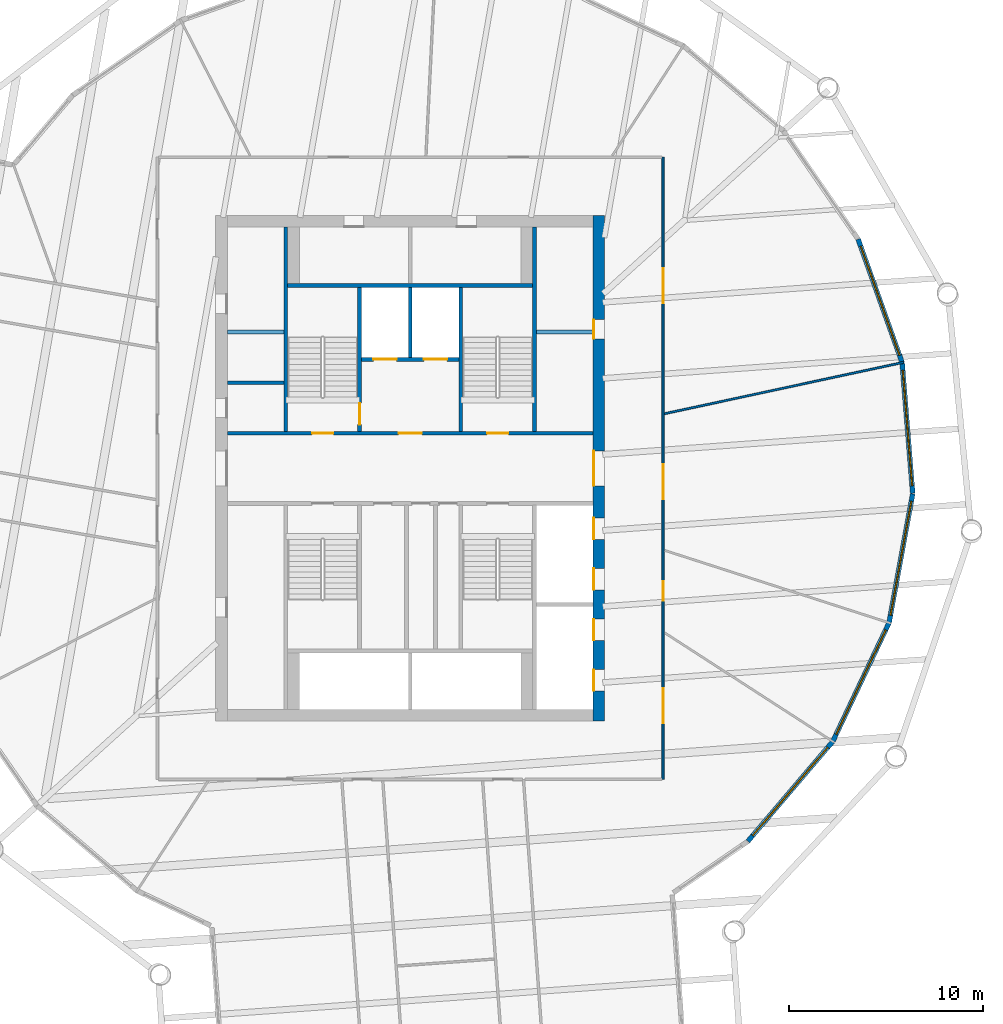
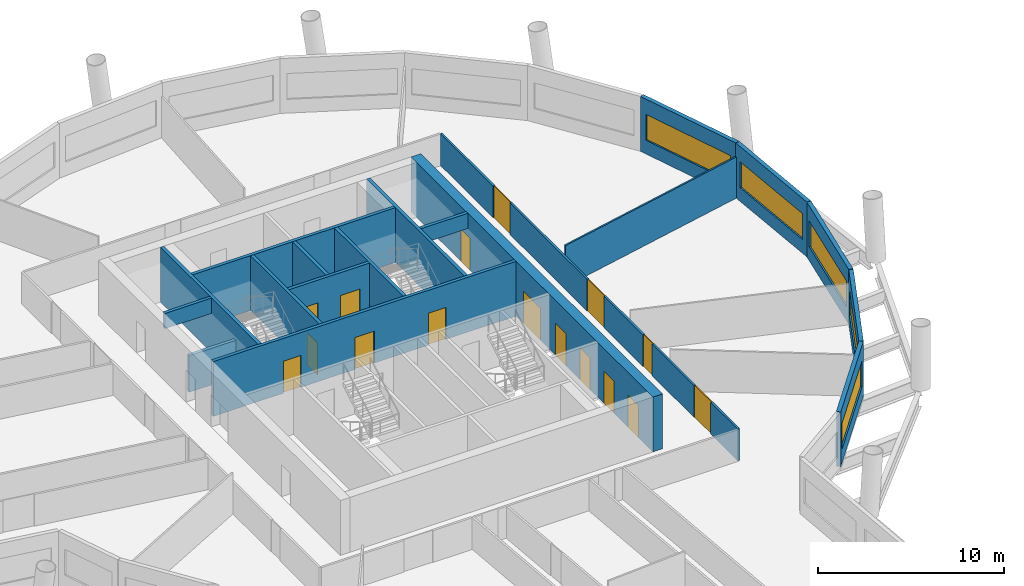
# One storey, part 5 of 11: 19 walls, 16 doors, 5 windows, 21 openings.
"""IFC4 building model written with IfcOpenShell, lengths in metres."""

from ifc_helpers import new_model, si_unit, direction, frame, frame_2d, origin, place, context, subcontext, project, spatial, rectangle, extrude, material, layer, layer_set, type_object, element, fill, save


model = new_model("IFC4")

# Units and contexts
model_context = context("Model", 3, precision=1e-05, world=origin(), true_north=direction((0.0, 1.0)))
body_context = subcontext(model_context, "Body", "Model", "MODEL_VIEW")
ifc_project = project(units=[si_unit("LENGTHUNIT", "METRE"), si_unit("AREAUNIT", "SQUARE_METRE"), si_unit("VOLUMEUNIT", "CUBIC_METRE"), si_unit("PLANEANGLEUNIT", "RADIAN"), si_unit("MASSUNIT", "GRAM", prefix="KILO")], contexts=[model_context])

# Site, building, storey
site_placement = place(None, origin())
site = spatial("IfcSite", under=ifc_project, at=site_placement, CompositionType="ELEMENT")
building_placement = place(site_placement, origin())
building = spatial("IfcBuilding", under=site, at=building_placement, Name="Tarsis Ring Headquarters", CompositionType="ELEMENT")
storey_placement = place(building_placement, frame((0.0, 0.0, 243.300048828125)))
storey = spatial("IfcBuildingStorey", under=building, at=storey_placement, Name="L57", CompositionType="ELEMENT", Elevation=243.300048828125)

# Wall
ifc_material_1 = material(Name="Blockwork", Category="masonry")
ifc_layer_1 = layer(ifc_material_1, 0.199951171875)
ifc_layer_set_1 = layer_set([ifc_layer_1], Name="Core blockwork wall 200")
wall_type_1 = type_object("IfcWallType", Name="Core blockwork wall 200", PredefinedType="PARTITIONING", material=ifc_layer_set_1)
wall_1_placement = place(storey_placement, frame((-9.39990234375, 4.39990234375, 0.0), z_axis=(0.0, 0.0, 1.0), x_axis=(1.0, 0.0, 0.0)))
element("IfcWall", 1, at=wall_1_placement, inside=storey, type_object=wall_type_1, Name="Core partition WD5", PredefinedType="PARTITIONING", context=body_context, shape_type="SweptSolid", body=[
    extrude(rectangle(XDim=2.89990234375, YDim=0.199951171875, at=frame_2d((1.449951171875, 0.0))), origin(), (0.0, 0.0, 1.0), 2.39990234375),
])

# Wall, openings, doors
ifc_material_2 = material(Name="Concrete C50/60", Category="concrete")
ifc_layer_2 = layer(ifc_material_2, 0.60009765625)
ifc_layer_set_2 = layer_set([ifc_layer_2], Name="Core wall 600 C50/60")
wall_type_2 = type_object("IfcWallType", Name="Core wall 600 C50/60", PredefinedType="SHEAR", material=ifc_layer_set_2)
wall_2_placement = place(storey_placement, frame((9.699951171875, -13.0, 0.0), z_axis=(0.0, 0.0, 1.0), x_axis=(0.0, 1.0, 0.0)))
wall_2 = element("IfcWall", 2, at=wall_2_placement, inside=storey, type_object=wall_type_2, Name="Core wall OE", PredefinedType="SHEAR", context=body_context, shape_type="SweptSolid", body=[
    extrude(rectangle(XDim=26.0, YDim=0.60009765625, at=frame_2d((13.0, 0.0))), origin(), (0.0, 0.0, 1.0), 3.599853515625),
])
opening_1_placement = place(wall_2_placement, frame((1.550048828125, 0.0, 0.0)))
opening_1 = element("IfcOpeningElement", 3, at=opening_1_placement, cuts=wall_2, Name="Opening LD-MR1", PredefinedType="OPENING", context=body_context, shape_type="SweptSolid", body=[
    extrude(rectangle(XDim=1.10009765625, YDim=2.10009765625, at=frame_2d((0.550048828125, 1.050048828125))), frame((0.0, 0.31005859375, 0.0), z_axis=(0.0, -1.0, 0.0), x_axis=(1.0, 0.0, 0.0)), (0.0, 0.0, 1.0), 0.6201171875),
])
opening_2_placement = place(wall_2_placement, frame((4.14990234375, 0.0, 0.0)))
opening_2 = element("IfcOpeningElement", 4, at=opening_2_placement, cuts=wall_2, Name="Opening LD-MR2", PredefinedType="OPENING", context=body_context, shape_type="SweptSolid", body=[
    extrude(rectangle(XDim=1.10009765625, YDim=2.10009765625, at=frame_2d((0.550048828125, 1.050048828125))), frame((0.0, 0.31005859375, 0.0), z_axis=(0.0, -1.0, 0.0), x_axis=(1.0, 0.0, 0.0)), (0.0, 0.0, 1.0), 0.6201171875),
])
opening_3_placement = place(wall_2_placement, frame((6.75, 0.0, 0.0)))
opening_3 = element("IfcOpeningElement", 5, at=opening_3_placement, cuts=wall_2, Name="Opening LD-MR3", PredefinedType="OPENING", context=body_context, shape_type="SweptSolid", body=[
    extrude(rectangle(XDim=1.10009765625, YDim=2.10009765625, at=frame_2d((0.550048828125, 1.050048828125))), frame((0.0, 0.31005859375, 0.0), z_axis=(0.0, -1.0, 0.0), x_axis=(1.0, 0.0, 0.0)), (0.0, 0.0, 1.0), 0.6201171875),
])
opening_4_placement = place(wall_2_placement, frame((9.35009765625, 0.0, 0.0)))
opening_4 = element("IfcOpeningElement", 6, at=opening_4_placement, cuts=wall_2, Name="Opening LD-MR4", PredefinedType="OPENING", context=body_context, shape_type="SweptSolid", body=[
    extrude(rectangle(XDim=1.10009765625, YDim=2.10009765625, at=frame_2d((0.550048828125, 1.050048828125))), frame((0.0, 0.31005859375, 0.0), z_axis=(0.0, -1.0, 0.0), x_axis=(1.0, 0.0, 0.0)), (0.0, 0.0, 1.0), 0.6201171875),
])
opening_5_placement = place(wall_2_placement, frame((12.10009765625, 0.0, 0.0)))
opening_5 = element("IfcOpeningElement", 7, at=opening_5_placement, cuts=wall_2, Name="Opening L57-C09", PredefinedType="OPENING", context=body_context, shape_type="SweptSolid", body=[
    extrude(rectangle(XDim=1.800048828125, YDim=2.10009765625, at=frame_2d((0.89990234375, 1.050048828125))), frame((0.0, 0.31005859375, 0.0), z_axis=(0.0, -1.0, 0.0), x_axis=(1.0, 0.0, 0.0)), (0.0, 0.0, 1.0), 0.6201171875),
])
opening_6_placement = place(wall_2_placement, frame((19.64990234375, 0.0, 0.0)))
opening_6 = element("IfcOpeningElement", 8, at=opening_6_placement, cuts=wall_2, Name="Opening L57-C10", PredefinedType="OPENING", context=body_context, shape_type="SweptSolid", body=[
    extrude(rectangle(XDim=1.0, YDim=2.10009765625, at=frame_2d((0.5, 1.050048828125))), frame((0.0, 0.31005859375, 0.0), z_axis=(0.0, -1.0, 0.0), x_axis=(1.0, 0.0, 0.0)), (0.0, 0.0, 1.0), 0.6201171875),
])
ifc_material_3 = material(Name="Steel S355", Category="steel")
door_type_1 = type_object("IfcDoorType", Name="Core entry door 1800x2100", OperationType="DOUBLE_DOOR_SINGLE_SWING", PredefinedType="DOOR", material=ifc_material_3)
door_1_placement = place(opening_5_placement, origin())
door_1 = element("IfcDoor", 9, at=door_1_placement, inside=storey, type_object=door_type_1, Name="Core entry door L57", OperationType="DOUBLE_DOOR_SINGLE_SWING", OverallHeight=2.10009765625, OverallWidth=1.800048828125, PredefinedType="DOOR", context=body_context, shape_type="SweptSolid", body=[
    extrude(rectangle(XDim=1.800048828125, YDim=2.10009765625, at=frame_2d((0.89990234375, 1.050048828125))), frame((0.0, 0.2998046875, 0.0), z_axis=(0.0, -1.0, 0.0), x_axis=(1.0, 0.0, 0.0)), (0.0, 0.0, 1.0), 0.050048828125),
])
fill(opening_5, door_1)
door_type_2 = type_object("IfcDoorType", Name="Core room door 1000x2100", OperationType="SINGLE_SWING_LEFT", PredefinedType="DOOR", material=ifc_material_3)
door_2_placement = place(opening_6_placement, origin())
door_2 = element("IfcDoor", 10, at=door_2_placement, inside=storey, type_object=door_type_2, Name="Core room door L57", OperationType="SINGLE_SWING_LEFT", OverallHeight=2.10009765625, OverallWidth=1.0, PredefinedType="DOOR", context=body_context, shape_type="SweptSolid", body=[
    extrude(rectangle(XDim=1.0, YDim=2.10009765625, at=frame_2d((0.5, 1.050048828125))), frame((0.0, 0.2998046875, 0.0), z_axis=(0.0, -1.0, 0.0), x_axis=(1.0, 0.0, 0.0)), (0.0, 0.0, 1.0), 0.050048828125),
])
fill(opening_6, door_2)
door_type_3 = type_object("IfcDoorType", Name="Landing door 1100x2100", OperationType="SLIDING_TO_LEFT", PredefinedType="DOOR", material=ifc_material_3)
door_3_placement = place(opening_1_placement, origin())
door_3 = element("IfcDoor", 11, at=door_3_placement, inside=storey, type_object=door_type_3, Name="Landing door MR1 L57", OperationType="SLIDING_TO_LEFT", OverallHeight=2.10009765625, OverallWidth=1.10009765625, PredefinedType="DOOR", context=body_context, shape_type="SweptSolid", body=[
    extrude(rectangle(XDim=1.10009765625, YDim=2.10009765625, at=frame_2d((0.550048828125, 1.050048828125))), frame((0.0, 0.2998046875, 0.0), z_axis=(0.0, -1.0, 0.0), x_axis=(1.0, 0.0, 0.0)), (0.0, 0.0, 1.0), 0.050048828125),
])
fill(opening_1, door_3)
door_4_placement = place(opening_2_placement, origin())
door_4 = element("IfcDoor", 12, at=door_4_placement, inside=storey, type_object=door_type_3, Name="Landing door MR2 L57", OperationType="SLIDING_TO_LEFT", OverallHeight=2.10009765625, OverallWidth=1.10009765625, PredefinedType="DOOR", context=body_context, shape_type="SweptSolid", body=[
    extrude(rectangle(XDim=1.10009765625, YDim=2.10009765625, at=frame_2d((0.550048828125, 1.050048828125))), frame((0.0, 0.2998046875, 0.0), z_axis=(0.0, -1.0, 0.0), x_axis=(1.0, 0.0, 0.0)), (0.0, 0.0, 1.0), 0.050048828125),
])
fill(opening_2, door_4)
door_5_placement = place(opening_3_placement, origin())
door_5 = element("IfcDoor", 13, at=door_5_placement, inside=storey, type_object=door_type_3, Name="Landing door MR3 L57", OperationType="SLIDING_TO_LEFT", OverallHeight=2.10009765625, OverallWidth=1.10009765625, PredefinedType="DOOR", context=body_context, shape_type="SweptSolid", body=[
    extrude(rectangle(XDim=1.10009765625, YDim=2.10009765625, at=frame_2d((0.550048828125, 1.050048828125))), frame((0.0, 0.2998046875, 0.0), z_axis=(0.0, -1.0, 0.0), x_axis=(1.0, 0.0, 0.0)), (0.0, 0.0, 1.0), 0.050048828125),
])
fill(opening_3, door_5)
door_6_placement = place(opening_4_placement, origin())
door_6 = element("IfcDoor", 14, at=door_6_placement, inside=storey, type_object=door_type_3, Name="Landing door MR4 L57", OperationType="SLIDING_TO_LEFT", OverallHeight=2.10009765625, OverallWidth=1.10009765625, PredefinedType="DOOR", context=body_context, shape_type="SweptSolid", body=[
    extrude(rectangle(XDim=1.10009765625, YDim=2.10009765625, at=frame_2d((0.550048828125, 1.050048828125))), frame((0.0, 0.2998046875, 0.0), z_axis=(0.0, -1.0, 0.0), x_axis=(1.0, 0.0, 0.0)), (0.0, 0.0, 1.0), 0.050048828125),
])
fill(opening_4, door_6)

# Wall
ifc_material_4 = material(Name="Gypsum board on steel studs", Category="steel")
ifc_layer_3 = layer(ifc_material_4, 0.10009765625)
ifc_layer_set_3 = layer_set([ifc_layer_3], Name="FL partition 100 unrated")
wall_type_3 = type_object("IfcWallType", Name="FL partition 100 unrated", PredefinedType="PARTITIONING", material=ifc_layer_set_3)
wall_3_placement = place(storey_placement, frame((13.068359375, 2.806396484375, 0.0), z_axis=(0.0, 0.0, 1.0), x_axis=(0.97771002818, 0.209959759947, 0.0)))
element("IfcWall", 15, at=wall_3_placement, inside=storey, type_object=wall_type_3, Name="Partition PW3", PredefinedType="PARTITIONING", context=body_context, shape_type="SweptSolid", body=[
    extrude(rectangle(XDim=12.58154296875, YDim=0.10009765625, at=frame_2d((6.290771484375, 0.0))), origin(), (0.0, 0.0, 1.0), 2.699951171875),
])

# Wall, openings, doors
ifc_layer_4 = layer(ifc_material_4, 0.125)
ifc_layer_set_4 = layer_set([ifc_layer_4], Name="FL partition 125 EI 60 H2080")
wall_type_4 = type_object("IfcWallType", Name="FL partition 125 EI 60 H2080", PredefinedType="PARTITIONING", material=ifc_layer_set_4)
wall_4_placement = place(storey_placement, frame((13.0, -15.998046875, 0.0), z_axis=(0.0, 0.0, 1.0), x_axis=(0.0, 1.0, 0.0)))
wall_4 = element("IfcWall", 16, at=wall_4_placement, inside=storey, type_object=wall_type_4, Name="Partition PW1H208", PredefinedType="PARTITIONING", context=body_context, shape_type="SweptSolid", body=[
    extrude(rectangle(XDim=31.998046875, YDim=0.125, at=frame_2d((15.9990234375, 0.0))), origin(), (0.0, 0.0, 1.0), 2.079833984375),
])
opening_7_placement = place(wall_4_placement, frame((24.493896484375, 0.0, 0.0)))
opening_7 = element("IfcOpeningElement", 17, at=opening_7_placement, cuts=wall_4, Name="Opening D57.06", PredefinedType="OPENING", context=body_context, shape_type="SweptSolid", body=[
    extrude(rectangle(XDim=1.800048828125, YDim=2.10009765625, at=frame_2d((0.89990234375, 1.050048828125))), frame((0.0, 0.072509765625, 0.0), z_axis=(0.0, -1.0, 0.0), x_axis=(1.0, 0.0, 0.0)), (0.0, 0.0, 1.0), 0.14501953125),
])
opening_8_placement = place(wall_4_placement, frame((14.39697265625, 0.0, 0.0)))
opening_8 = element("IfcOpeningElement", 18, at=opening_8_placement, cuts=wall_4, Name="Opening D57.07", PredefinedType="OPENING", context=body_context, shape_type="SweptSolid", body=[
    extrude(rectangle(XDim=1.800048828125, YDim=2.10009765625, at=frame_2d((0.89990234375, 1.050048828125))), frame((0.0, 0.072509765625, 0.0), z_axis=(0.0, -1.0, 0.0), x_axis=(1.0, 0.0, 0.0)), (0.0, 0.0, 1.0), 0.14501953125),
])
opening_9_placement = place(wall_4_placement, frame((9.19921875, 0.0, 0.0)))
opening_9 = element("IfcOpeningElement", 19, at=opening_9_placement, cuts=wall_4, Name="Opening D57.08", PredefinedType="OPENING", context=body_context, shape_type="SweptSolid", body=[
    extrude(rectangle(XDim=1.0, YDim=2.10009765625, at=frame_2d((0.5, 1.050048828125))), frame((0.0, 0.072509765625, 0.0), z_axis=(0.0, -1.0, 0.0), x_axis=(1.0, 0.0, 0.0)), (0.0, 0.0, 1.0), 0.14501953125),
])
opening_10_placement = place(wall_4_placement, frame((2.897216796875, 0.0, 0.0)))
opening_10 = element("IfcOpeningElement", 20, at=opening_10_placement, cuts=wall_4, Name="Opening D57.09", PredefinedType="OPENING", context=body_context, shape_type="SweptSolid", body=[
    extrude(rectangle(XDim=1.800048828125, YDim=2.10009765625, at=frame_2d((0.89990234375, 1.050048828125))), frame((0.0, 0.072509765625, 0.0), z_axis=(0.0, -1.0, 0.0), x_axis=(1.0, 0.0, 0.0)), (0.0, 0.0, 1.0), 0.14501953125),
])
ifc_material_5 = material(Name="Fire-rated timber door leaf in steel frame", Category="steel")
door_type_4 = type_object("IfcDoorType", Name="FL door FD60-1000", OperationType="NOTDEFINED", PredefinedType="DOOR", material=ifc_material_5)
door_7_placement = place(opening_9_placement, origin())
door_7 = element("IfcDoor", 21, at=door_7_placement, inside=storey, type_object=door_type_4, Name="Door D57.08", OperationType="SINGLE_SWING_LEFT", OverallHeight=2.10009765625, OverallWidth=1.0, PredefinedType="DOOR", context=body_context, shape_type="SweptSolid", body=[
    extrude(rectangle(XDim=1.0, YDim=2.10009765625, at=frame_2d((0.5, 1.050048828125))), frame((0.0, 0.02490234375, 0.0), z_axis=(0.0, -1.0, 0.0), x_axis=(1.0, 0.0, 0.0)), (0.0, 0.0, 1.0), 0.050048828125),
])
fill(opening_9, door_7)
door_type_5 = type_object("IfcDoorType", Name="FL door FD60-1800", OperationType="DOUBLE_DOOR_SINGLE_SWING", PredefinedType="DOOR", material=ifc_material_5)
door_8_placement = place(opening_7_placement, origin())
door_8 = element("IfcDoor", 22, at=door_8_placement, inside=storey, type_object=door_type_5, Name="Door D57.06", OperationType="DOUBLE_DOOR_SINGLE_SWING", OverallHeight=2.10009765625, OverallWidth=1.800048828125, PredefinedType="DOOR", context=body_context, shape_type="SweptSolid", body=[
    extrude(rectangle(XDim=1.800048828125, YDim=2.10009765625, at=frame_2d((0.89990234375, 1.050048828125))), frame((0.0, 0.02490234375, 0.0), z_axis=(0.0, -1.0, 0.0), x_axis=(1.0, 0.0, 0.0)), (0.0, 0.0, 1.0), 0.050048828125),
])
fill(opening_7, door_8)
door_9_placement = place(opening_8_placement, origin())
door_9 = element("IfcDoor", 23, at=door_9_placement, inside=storey, type_object=door_type_5, Name="Door D57.07", OperationType="DOUBLE_DOOR_SINGLE_SWING", OverallHeight=2.10009765625, OverallWidth=1.800048828125, PredefinedType="DOOR", context=body_context, shape_type="SweptSolid", body=[
    extrude(rectangle(XDim=1.800048828125, YDim=2.10009765625, at=frame_2d((0.89990234375, 1.050048828125))), frame((0.0, 0.02490234375, 0.0), z_axis=(0.0, -1.0, 0.0), x_axis=(1.0, 0.0, 0.0)), (0.0, 0.0, 1.0), 0.050048828125),
])
fill(opening_8, door_9)
door_10_placement = place(opening_10_placement, origin())
door_10 = element("IfcDoor", 24, at=door_10_placement, inside=storey, type_object=door_type_5, Name="Door D57.09", OperationType="DOUBLE_DOOR_SINGLE_SWING", OverallHeight=2.10009765625, OverallWidth=1.800048828125, PredefinedType="DOOR", context=body_context, shape_type="SweptSolid", body=[
    extrude(rectangle(XDim=1.800048828125, YDim=2.10009765625, at=frame_2d((0.89990234375, 1.050048828125))), frame((0.0, 0.02490234375, 0.0), z_axis=(0.0, -1.0, 0.0), x_axis=(1.0, 0.0, 0.0)), (0.0, 0.0, 1.0), 0.050048828125),
])
fill(opening_10, door_10)

# Wall, opening, window
ifc_material_6 = material(Name="Terracotta clad insulated panel wall", Category="masonry")
ifc_layer_5 = layer(ifc_material_6, 0.25)
ifc_layer_set_5 = layer_set([ifc_layer_5], Name="Facade wall terracotta panel 250")
wall_type_5 = type_object("IfcWallType", Name="Facade wall terracotta panel 250", PredefinedType="STANDARD", material=ifc_layer_set_5)
wall_5_placement = place(storey_placement, frame((17.364013671875, -19.17919921875, 0.0), z_axis=(0.0, 0.0, 1.0), x_axis=(0.647855051899, 0.761763632453, 0.0)))
wall_5 = element("IfcWall", 25, at=wall_5_placement, inside=storey, type_object=wall_type_5, Name="External wall L57-18", PredefinedType="STANDARD", context=body_context, shape_type="SweptSolid", body=[
    extrude(rectangle(XDim=6.721435546875, YDim=0.25, at=frame_2d((3.36083984375, 0.0))), origin(), (0.0, 0.0, 1.0), 3.599853515625),
])
opening_11_placement = place(wall_5_placement, frame((0.3857421875, 0.0, 0.89990234375)))
opening_11 = element("IfcOpeningElement", 26, at=opening_11_placement, cuts=wall_5, Name="Opening WN07", PredefinedType="OPENING", context=body_context, shape_type="SweptSolid", body=[
    extrude(rectangle(XDim=5.949951171875, YDim=1.699951171875, at=frame_2d((2.97509765625, 0.85009765625))), frame((0.0, 0.135009765625, 0.0), z_axis=(0.0, -1.0, 0.0), x_axis=(1.0, 0.0, 0.0)), (0.0, 0.0, 1.0), 0.27001953125),
])
ifc_material_7 = material(Name="Aluminium framed double glazing", Category="aluminium")
window_type = type_object("IfcWindowType", Name="Facade window 5950 x 1700", PartitioningType="SINGLE_PANEL", PredefinedType="WINDOW", material=ifc_material_7)
window_1_placement = place(opening_11_placement, origin())
window_1 = element("IfcWindow", 27, at=window_1_placement, inside=storey, type_object=window_type, Name="Window L57-18.1", OverallHeight=1.699951171875, OverallWidth=5.949951171875, PartitioningType="SINGLE_PANEL", PredefinedType="WINDOW", context=body_context, shape_type="SweptSolid", body=[
    extrude(rectangle(XDim=5.949951171875, YDim=1.699951171875, at=frame_2d((2.97509765625, 0.85009765625))), frame((0.0, 0.030029296875, 0.0), z_axis=(0.0, -1.0, 0.0), x_axis=(1.0, 0.0, 0.0)), (0.0, 0.0, 1.0), 0.06005859375),
])
fill(opening_11, window_1)

wall_6_placement = place(storey_placement, frame((21.736328125, -14.031494140625, 0.0), z_axis=(0.0, 0.0, 1.0), x_axis=(0.428607775295, 0.903490661245, 0.0)))
wall_6 = element("IfcWall", 28, at=wall_6_placement, inside=storey, type_object=wall_type_5, Name="External wall L57-19", PredefinedType="STANDARD", context=body_context, shape_type="SweptSolid", body=[
    extrude(rectangle(XDim=6.721435546875, YDim=0.25, at=frame_2d((3.36083984375, 0.0))), origin(), (0.0, 0.0, 1.0), 3.599853515625),
])
opening_12_placement = place(wall_6_placement, frame((0.3857421875, 0.0, 0.89990234375)))
opening_12 = element("IfcOpeningElement", 29, at=opening_12_placement, cuts=wall_6, Name="Opening WN07", PredefinedType="OPENING", context=body_context, shape_type="SweptSolid", body=[
    extrude(rectangle(XDim=5.949951171875, YDim=1.699951171875, at=frame_2d((2.97509765625, 0.85009765625))), frame((0.0, 0.135009765625, 0.0), z_axis=(0.0, -1.0, 0.0), x_axis=(1.0, 0.0, 0.0)), (0.0, 0.0, 1.0), 0.27001953125),
])
window_2_placement = place(opening_12_placement, origin())
window_2 = element("IfcWindow", 30, at=window_2_placement, inside=storey, type_object=window_type, Name="Window L57-19.1", OverallHeight=1.699951171875, OverallWidth=5.949951171875, PartitioningType="SINGLE_PANEL", PredefinedType="WINDOW", context=body_context, shape_type="SweptSolid", body=[
    extrude(rectangle(XDim=5.949951171875, YDim=1.699951171875, at=frame_2d((2.97509765625, 0.85009765625))), frame((0.0, 0.030029296875, 0.0), z_axis=(0.0, -1.0, 0.0), x_axis=(1.0, 0.0, 0.0)), (0.0, 0.0, 1.0), 0.06005859375),
])
fill(opening_12, window_2)

wall_7_placement = place(storey_placement, frame((24.627197265625, -7.927734375, 0.0), z_axis=(0.0, 0.0, 1.0), x_axis=(0.180192575424, 0.983631351555, 0.0)))
wall_7 = element("IfcWall", 31, at=wall_7_placement, inside=storey, type_object=wall_type_5, Name="External wall L57-20", PredefinedType="STANDARD", context=body_context, shape_type="SweptSolid", body=[
    extrude(rectangle(XDim=6.7216796875, YDim=0.25, at=frame_2d((3.36083984375, 0.0))), origin(), (0.0, 0.0, 1.0), 3.599853515625),
])
opening_13_placement = place(wall_7_placement, frame((0.3857421875, 0.0, 0.89990234375)))
opening_13 = element("IfcOpeningElement", 32, at=opening_13_placement, cuts=wall_7, Name="Opening WN07", PredefinedType="OPENING", context=body_context, shape_type="SweptSolid", body=[
    extrude(rectangle(XDim=5.949951171875, YDim=1.699951171875, at=frame_2d((2.97509765625, 0.85009765625))), frame((0.0, 0.135009765625, 0.0), z_axis=(0.0, -1.0, 0.0), x_axis=(1.0, 0.0, 0.0)), (0.0, 0.0, 1.0), 0.27001953125),
])
window_3_placement = place(opening_13_placement, origin())
window_3 = element("IfcWindow", 33, at=window_3_placement, inside=storey, type_object=window_type, Name="Window L57-20.1", OverallHeight=1.699951171875, OverallWidth=5.949951171875, PartitioningType="SINGLE_PANEL", PredefinedType="WINDOW", context=body_context, shape_type="SweptSolid", body=[
    extrude(rectangle(XDim=5.949951171875, YDim=1.699951171875, at=frame_2d((2.97509765625, 0.85009765625))), frame((0.0, 0.030029296875, 0.0), z_axis=(0.0, -1.0, 0.0), x_axis=(1.0, 0.0, 0.0)), (0.0, 0.0, 1.0), 0.06005859375),
])
fill(opening_13, window_3)

wall_8_placement = place(storey_placement, frame((25.83984375, -1.28369140625, 0.0), z_axis=(0.0, 0.0, 1.0), x_axis=(-0.08052621069, 0.99675249154, 0.0)))
wall_8 = element("IfcWall", 34, at=wall_8_placement, inside=storey, type_object=wall_type_5, Name="External wall L57-21", PredefinedType="STANDARD", context=body_context, shape_type="SweptSolid", body=[
    extrude(rectangle(XDim=6.721435546875, YDim=0.25, at=frame_2d((3.36083984375, 0.0))), origin(), (0.0, 0.0, 1.0), 3.599853515625),
])
opening_14_placement = place(wall_8_placement, frame((0.3857421875, 0.0, 0.89990234375)))
opening_14 = element("IfcOpeningElement", 35, at=opening_14_placement, cuts=wall_8, Name="Opening WN07", PredefinedType="OPENING", context=body_context, shape_type="SweptSolid", body=[
    extrude(rectangle(XDim=5.949951171875, YDim=1.699951171875, at=frame_2d((2.97509765625, 0.85009765625))), frame((0.0, 0.135009765625, 0.0), z_axis=(0.0, -1.0, 0.0), x_axis=(1.0, 0.0, 0.0)), (0.0, 0.0, 1.0), 0.27001953125),
])
window_4_placement = place(opening_14_placement, origin())
window_4 = element("IfcWindow", 36, at=window_4_placement, inside=storey, type_object=window_type, Name="Window L57-21.1", OverallHeight=1.699951171875, OverallWidth=5.949951171875, PartitioningType="SINGLE_PANEL", PredefinedType="WINDOW", context=body_context, shape_type="SweptSolid", body=[
    extrude(rectangle(XDim=5.949951171875, YDim=1.699951171875, at=frame_2d((2.97509765625, 0.85009765625))), frame((0.0, 0.030029296875, 0.0), z_axis=(0.0, -1.0, 0.0), x_axis=(1.0, 0.0, 0.0)), (0.0, 0.0, 1.0), 0.06005859375),
])
fill(opening_14, window_4)

wall_9_placement = place(storey_placement, frame((25.291748046875, 5.447998046875, 0.0), z_axis=(0.0, 0.0, 1.0), x_axis=(-0.335795622423, 0.94193487034, 0.0)))
wall_9 = element("IfcWall", 37, at=wall_9_placement, inside=storey, type_object=wall_type_5, Name="External wall L57-22", PredefinedType="STANDARD", context=body_context, shape_type="SweptSolid", body=[
    extrude(rectangle(XDim=6.7216796875, YDim=0.25, at=frame_2d((3.36083984375, 0.0))), origin(), (0.0, 0.0, 1.0), 3.599853515625),
])
opening_15_placement = place(wall_9_placement, frame((0.3857421875, 0.0, 0.89990234375)))
opening_15 = element("IfcOpeningElement", 38, at=opening_15_placement, cuts=wall_9, Name="Opening WN07", PredefinedType="OPENING", context=body_context, shape_type="SweptSolid", body=[
    extrude(rectangle(XDim=5.949951171875, YDim=1.699951171875, at=frame_2d((2.97509765625, 0.85009765625))), frame((0.0, 0.135009765625, 0.0), z_axis=(0.0, -1.0, 0.0), x_axis=(1.0, 0.0, 0.0)), (0.0, 0.0, 1.0), 0.27001953125),
])
window_5_placement = place(opening_15_placement, origin())
window_5 = element("IfcWindow", 39, at=window_5_placement, inside=storey, type_object=window_type, Name="Window L57-22.1", OverallHeight=1.699951171875, OverallWidth=5.949951171875, PartitioningType="SINGLE_PANEL", PredefinedType="WINDOW", context=body_context, shape_type="SweptSolid", body=[
    extrude(rectangle(XDim=5.949951171875, YDim=1.699951171875, at=frame_2d((2.97509765625, 0.85009765625))), frame((0.0, 0.030029296875, 0.0), z_axis=(0.0, -1.0, 0.0), x_axis=(1.0, 0.0, 0.0)), (0.0, 0.0, 1.0), 0.06005859375),
])
fill(opening_15, window_5)

# Wall, openings, doors
ifc_material_8 = material(Name="Concrete C32/40", Category="concrete")
ifc_layer_6 = layer(ifc_material_8, 0.199951171875)
ifc_layer_set_6 = layer_set([ifc_layer_6], Name="Shaft wall 200 C32/40")
wall_type_6 = type_object("IfcWallType", Name="Shaft wall 200 C32/40", PredefinedType="SOLIDWALL", material=ifc_layer_set_6)
wall_10_placement = place(storey_placement, frame((-9.39990234375, 1.800048828125, 0.0), z_axis=(0.0, 0.0, 1.0), x_axis=(1.0, 0.0, 0.0)))
wall_10 = element("IfcWall", 40, at=wall_10_placement, inside=storey, type_object=wall_type_6, Name="Core shaft wall CN", PredefinedType="SOLIDWALL", context=body_context, shape_type="SweptSolid", body=[
    extrude(rectangle(XDim=18.7998046875, YDim=0.199951171875, at=frame_2d((9.39990234375, 0.0))), origin(), (0.0, 0.0, 1.0), 3.599853515625),
])
opening_16_placement = place(wall_10_placement, frame((4.35009765625, 0.0, 0.0)))
opening_16 = element("IfcOpeningElement", 41, at=opening_16_placement, cuts=wall_10, Name="Opening L57-C13", PredefinedType="OPENING", context=body_context, shape_type="SweptSolid", body=[
    extrude(rectangle(XDim=1.10009765625, YDim=2.10009765625, at=frame_2d((0.550048828125, 1.050048828125))), frame((0.0, 0.10986328125, 0.0), z_axis=(0.0, -1.0, 0.0), x_axis=(1.0, 0.0, 0.0)), (0.0, 0.0, 1.0), 0.219970703125),
])
opening_17_placement = place(wall_10_placement, frame((8.800048828125, 0.0, 0.0)))
opening_17 = element("IfcOpeningElement", 42, at=opening_17_placement, cuts=wall_10, Name="Opening L57-C14", PredefinedType="OPENING", context=body_context, shape_type="SweptSolid", body=[
    extrude(rectangle(XDim=1.199951171875, YDim=2.10009765625, at=frame_2d((0.60009765625, 1.050048828125))), frame((0.0, 0.10986328125, 0.0), z_axis=(0.0, -1.0, 0.0), x_axis=(1.0, 0.0, 0.0)), (0.0, 0.0, 1.0), 0.219970703125),
])
opening_18_placement = place(wall_10_placement, frame((13.35009765625, 0.0, 0.0)))
opening_18 = element("IfcOpeningElement", 43, at=opening_18_placement, cuts=wall_10, Name="Opening L57-C15", PredefinedType="OPENING", context=body_context, shape_type="SweptSolid", body=[
    extrude(rectangle(XDim=1.10009765625, YDim=2.10009765625, at=frame_2d((0.550048828125, 1.050048828125))), frame((0.0, 0.10986328125, 0.0), z_axis=(0.0, -1.0, 0.0), x_axis=(1.0, 0.0, 0.0)), (0.0, 0.0, 1.0), 0.219970703125),
])
door_type_6 = type_object("IfcDoorType", Name="Firefighting lobby door 1200x2100", OperationType="DOUBLE_DOOR_SINGLE_SWING", PredefinedType="DOOR", material=ifc_material_3)
door_11_placement = place(opening_17_placement, origin())
door_11 = element("IfcDoor", 44, at=door_11_placement, inside=storey, type_object=door_type_6, Name="Firefighting lobby door L57", OperationType="DOUBLE_DOOR_SINGLE_SWING", OverallHeight=2.10009765625, OverallWidth=1.199951171875, PredefinedType="DOOR", context=body_context, shape_type="SweptSolid", body=[
    extrude(rectangle(XDim=1.199951171875, YDim=2.10009765625, at=frame_2d((0.60009765625, 1.050048828125))), frame((0.0, 0.02490234375, 0.0), z_axis=(0.0, -1.0, 0.0), x_axis=(1.0, 0.0, 0.0)), (0.0, 0.0, 1.0), 0.050048828125),
])
fill(opening_17, door_11)
door_type_7 = type_object("IfcDoorType", Name="Stair door 1100x2100", OperationType="SINGLE_SWING_LEFT", PredefinedType="DOOR", material=ifc_material_3)
door_12_placement = place(opening_16_placement, origin())
door_12 = element("IfcDoor", 45, at=door_12_placement, inside=storey, type_object=door_type_7, Name="Stair door L57", OperationType="SINGLE_SWING_LEFT", OverallHeight=2.10009765625, OverallWidth=1.10009765625, PredefinedType="DOOR", context=body_context, shape_type="SweptSolid", body=[
    extrude(rectangle(XDim=1.10009765625, YDim=2.10009765625, at=frame_2d((0.550048828125, 1.050048828125))), frame((0.0, 0.02490234375, 0.0), z_axis=(0.0, -1.0, 0.0), x_axis=(1.0, 0.0, 0.0)), (0.0, 0.0, 1.0), 0.050048828125),
])
fill(opening_16, door_12)
door_13_placement = place(opening_18_placement, origin())
door_13 = element("IfcDoor", 46, at=door_13_placement, inside=storey, type_object=door_type_7, Name="Stair door L57", OperationType="SINGLE_SWING_LEFT", OverallHeight=2.10009765625, OverallWidth=1.10009765625, PredefinedType="DOOR", context=body_context, shape_type="SweptSolid", body=[
    extrude(rectangle(XDim=1.10009765625, YDim=2.10009765625, at=frame_2d((0.550048828125, 1.050048828125))), frame((0.0, 0.02490234375, 0.0), z_axis=(0.0, -1.0, 0.0), x_axis=(1.0, 0.0, 0.0)), (0.0, 0.0, 1.0), 0.050048828125),
])
fill(opening_18, door_13)

# Walls
for number, where, z_axis, x_axis, name in (
    (47, (-6.39990234375, 1.89990234375, 0.0), (0.0, 0.0, 1.0), (0.0, 1.0, 0.0), "Core shaft wall WB2"),
    (48, (6.39990234375, 1.89990234375, 0.0), (0.0, 0.0, 1.0), (0.0, 1.0, 0.0), "Core shaft wall EB2"),
):
    element("IfcWall", number, at=place(storey_placement, frame(where, z_axis=z_axis, x_axis=x_axis)), inside=storey, type_object=wall_type_6, Name=name, PredefinedType="SOLIDWALL", context=body_context, shape_type="SweptSolid", body=[
        extrude(rectangle(XDim=10.5, YDim=0.199951171875, at=frame_2d((5.25, 0.0))), origin(), (0.0, 0.0, 1.0), 3.599853515625),
    ])
wall_11_placement = place(storey_placement, frame((-6.300048828125, 9.39990234375, 0.0), z_axis=(0.0, 0.0, 1.0), x_axis=(1.0, 0.0, 0.0)))
element("IfcWall", 49, at=wall_11_placement, inside=storey, type_object=wall_type_6, Name="Core shaft wall NB", PredefinedType="SOLIDWALL", context=body_context, shape_type="SweptSolid", body=[
    extrude(rectangle(XDim=12.60009765625, YDim=0.199951171875, at=frame_2d((6.300048828125, 0.0))), origin(), (0.0, 0.0, 1.0), 3.599853515625),
])

# Wall, opening, door
wall_12_placement = place(storey_placement, frame((-2.60009765625, 1.89990234375, 0.0), z_axis=(0.0, 0.0, 1.0), x_axis=(0.0, 1.0, 0.0)))
wall_12 = element("IfcWall", 50, at=wall_12_placement, inside=storey, type_object=wall_type_6, Name="Core shaft wall SW1", PredefinedType="SOLIDWALL", context=body_context, shape_type="SweptSolid", body=[
    extrude(rectangle(XDim=7.400146484375, YDim=0.199951171875, at=frame_2d((3.7001953125, 0.0))), origin(), (0.0, 0.0, 1.0), 3.599853515625),
])
opening_19_placement = place(wall_12_placement, frame((0.35009765625, 0.0, 0.0)))
opening_19 = element("IfcOpeningElement", 51, at=opening_19_placement, cuts=wall_12, Name="Opening L57-C21", PredefinedType="OPENING", context=body_context, shape_type="SweptSolid", body=[
    extrude(rectangle(XDim=1.10009765625, YDim=2.10009765625, at=frame_2d((0.550048828125, 1.050048828125))), frame((0.0, 0.10986328125, 0.0), z_axis=(0.0, -1.0, 0.0), x_axis=(1.0, 0.0, 0.0)), (0.0, 0.0, 1.0), 0.219970703125),
])
door_14_placement = place(opening_19_placement, origin())
door_14 = element("IfcDoor", 52, at=door_14_placement, inside=storey, type_object=door_type_7, Name="Stair door L57", OperationType="SINGLE_SWING_LEFT", OverallHeight=2.10009765625, OverallWidth=1.10009765625, PredefinedType="DOOR", context=body_context, shape_type="SweptSolid", body=[
    extrude(rectangle(XDim=1.10009765625, YDim=2.10009765625, at=frame_2d((0.550048828125, 1.050048828125))), frame((0.0, 0.02490234375, 0.0), z_axis=(0.0, -1.0, 0.0), x_axis=(1.0, 0.0, 0.0)), (0.0, 0.0, 1.0), 0.050048828125),
])
fill(opening_19, door_14)

# Wall
wall_13_placement = place(storey_placement, frame((2.60009765625, 1.89990234375, 0.0), z_axis=(0.0, 0.0, 1.0), x_axis=(0.0, 1.0, 0.0)))
element("IfcWall", 53, at=wall_13_placement, inside=storey, type_object=wall_type_6, Name="Core shaft wall SW2", PredefinedType="SOLIDWALL", context=body_context, shape_type="SweptSolid", body=[
    extrude(rectangle(XDim=7.400146484375, YDim=0.199951171875, at=frame_2d((3.7001953125, 0.0))), origin(), (0.0, 0.0, 1.0), 3.599853515625),
])

# Wall, openings, doors
wall_14_placement = place(storey_placement, frame((-2.5, 5.60009765625, 0.0), z_axis=(0.0, 0.0, 1.0), x_axis=(1.0, 0.0, 0.0)))
wall_14 = element("IfcWall", 54, at=wall_14_placement, inside=storey, type_object=wall_type_6, Name="Core shaft wall FFN", PredefinedType="SOLIDWALL", context=body_context, shape_type="SweptSolid", body=[
    extrude(rectangle(XDim=5.0, YDim=0.199951171875, at=frame_2d((2.5, 0.0))), origin(), (0.0, 0.0, 1.0), 3.599853515625),
])
opening_20_placement = place(wall_14_placement, frame((0.60009765625, 0.0, 0.0)))
opening_20 = element("IfcOpeningElement", 55, at=opening_20_placement, cuts=wall_14, Name="Opening LDF-1", PredefinedType="OPENING", context=body_context, shape_type="SweptSolid", body=[
    extrude(rectangle(XDim=1.199951171875, YDim=2.10009765625, at=frame_2d((0.60009765625, 1.050048828125))), frame((0.0, 0.10986328125, 0.0), z_axis=(0.0, -1.0, 0.0), x_axis=(1.0, 0.0, 0.0)), (0.0, 0.0, 1.0), 0.219970703125),
])
opening_21_placement = place(wall_14_placement, frame((3.199951171875, 0.0, 0.0)))
opening_21 = element("IfcOpeningElement", 56, at=opening_21_placement, cuts=wall_14, Name="Opening LDF-2", PredefinedType="OPENING", context=body_context, shape_type="SweptSolid", body=[
    extrude(rectangle(XDim=1.199951171875, YDim=2.10009765625, at=frame_2d((0.60009765625, 1.050048828125))), frame((0.0, 0.10986328125, 0.0), z_axis=(0.0, -1.0, 0.0), x_axis=(1.0, 0.0, 0.0)), (0.0, 0.0, 1.0), 0.219970703125),
])
door_type_8 = type_object("IfcDoorType", Name="Firefighting landing door 1200x2100", OperationType="SLIDING_TO_LEFT", PredefinedType="DOOR", material=ifc_material_3)
door_15_placement = place(opening_20_placement, origin())
door_15 = element("IfcDoor", 57, at=door_15_placement, inside=storey, type_object=door_type_8, Name="Landing door FF1 L57", OperationType="SLIDING_TO_LEFT", OverallHeight=2.10009765625, OverallWidth=1.199951171875, PredefinedType="DOOR", context=body_context, shape_type="SweptSolid", body=[
    extrude(rectangle(XDim=1.199951171875, YDim=2.10009765625, at=frame_2d((0.60009765625, 1.050048828125))), frame((0.0, 0.02490234375, 0.0), z_axis=(0.0, -1.0, 0.0), x_axis=(1.0, 0.0, 0.0)), (0.0, 0.0, 1.0), 0.050048828125),
])
fill(opening_20, door_15)
door_16_placement = place(opening_21_placement, origin())
door_16 = element("IfcDoor", 58, at=door_16_placement, inside=storey, type_object=door_type_8, Name="Landing door FF2 L57", OperationType="SLIDING_TO_LEFT", OverallHeight=2.10009765625, OverallWidth=1.199951171875, PredefinedType="DOOR", context=body_context, shape_type="SweptSolid", body=[
    extrude(rectangle(XDim=1.199951171875, YDim=2.10009765625, at=frame_2d((0.60009765625, 1.050048828125))), frame((0.0, 0.02490234375, 0.0), z_axis=(0.0, -1.0, 0.0), x_axis=(1.0, 0.0, 0.0)), (0.0, 0.0, 1.0), 0.050048828125),
])
fill(opening_21, door_16)

# Walls
wall_15_placement = place(storey_placement, frame((0.0, 5.699951171875, 0.0), z_axis=(0.0, 0.0, 1.0), x_axis=(0.0, 1.0, 0.0)))
element("IfcWall", 59, at=wall_15_placement, inside=storey, type_object=wall_type_6, Name="Core shaft wall FFD", PredefinedType="SOLIDWALL", context=body_context, shape_type="SweptSolid", body=[
    extrude(rectangle(XDim=3.60009765625, YDim=0.199951171875, at=frame_2d((1.800048828125, 0.0))), origin(), (0.0, 0.0, 1.0), 3.599853515625),
])
for number, where, z_axis, x_axis, name in (
    (60, (-9.39990234375, 7.0, 2.599853515625), (0.0, 0.0, 1.0), (1.0, 0.0, 0.0), "Core shaft wall WD6"),
    (61, (6.5, 7.0, 2.599853515625), (0.0, 0.0, 1.0), (1.0, 0.0, 0.0), "Core shaft wall ED6"),
):
    element("IfcWall", number, at=place(storey_placement, frame(where, z_axis=z_axis, x_axis=x_axis)), inside=storey, type_object=wall_type_6, Name=name, PredefinedType="SOLIDWALL", context=body_context, shape_type="SweptSolid", body=[
        extrude(rectangle(XDim=2.89990234375, YDim=0.199951171875, at=frame_2d((1.449951171875, 0.0))), origin(), (0.0, 0.0, 1.0), 1.0),
    ])

save(model, "model.ifc")
